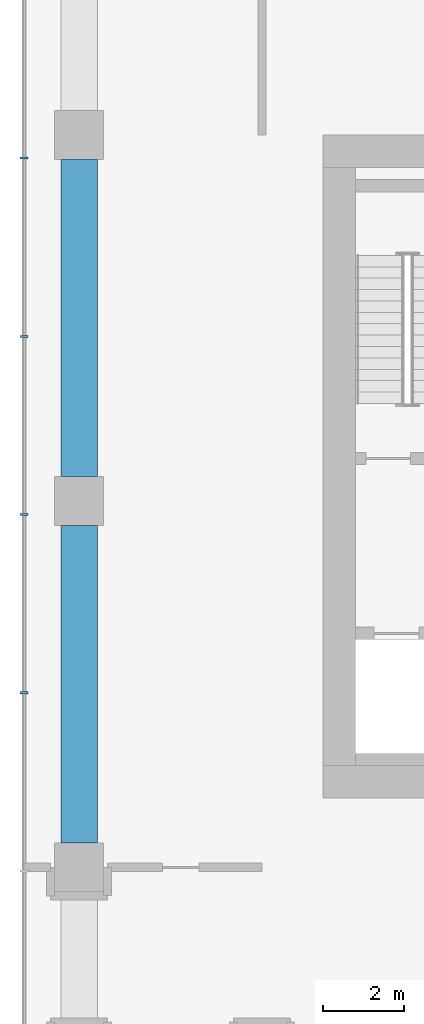
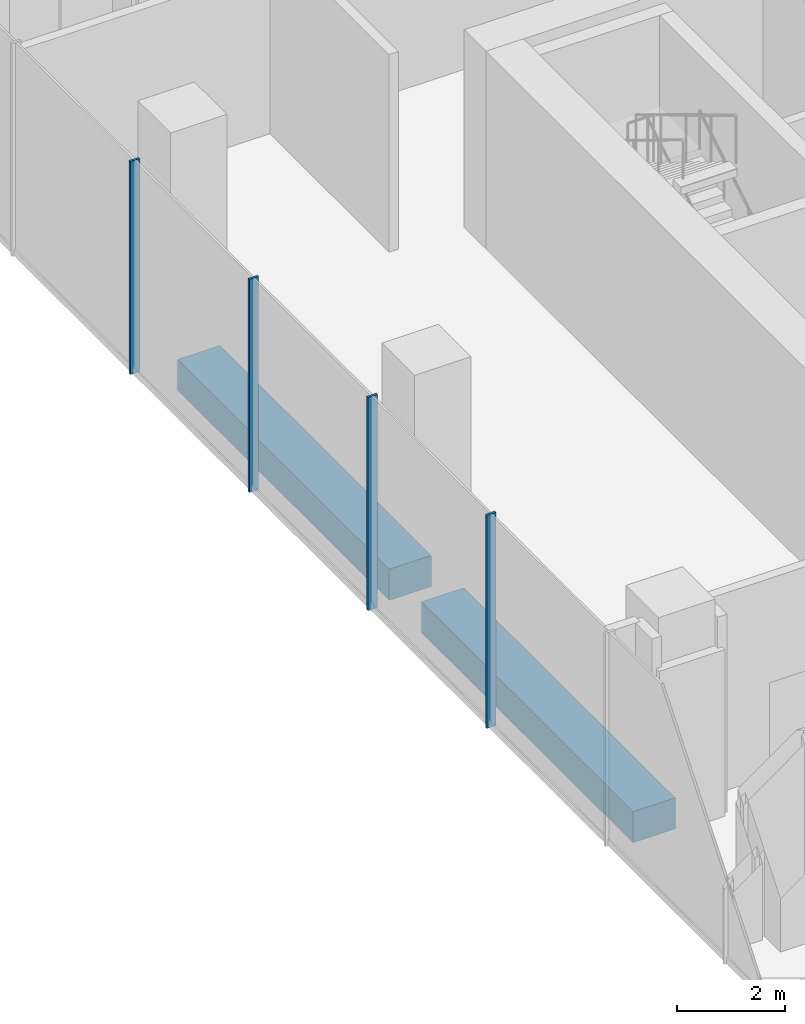
# One storey, part 3 of 42: 4 members, 2 beams, 1 element without a shape of its own.
"""IFC4 building model written with IfcOpenShell, lengths in metres."""

from ifc_helpers import new_model, si_unit, direction, frame, origin, origin_2d, place, context, subcontext, project, spatial, rectangle, extrude, material, layer, layer_set, material_profile, profile_set, type_object, element, aggregate, save


model = new_model("IFC4")

# Units and contexts
model_context = context("Model", 3, precision=1e-05, world=origin(), true_north=direction((0.0, 1.0)))
body_context = subcontext(model_context, "Body", "Model", "MODEL_VIEW")
ifc_project = project(units=[si_unit("LENGTHUNIT", "METRE"), si_unit("AREAUNIT", "SQUARE_METRE"), si_unit("VOLUMEUNIT", "CUBIC_METRE"), si_unit("PLANEANGLEUNIT", "RADIAN"), si_unit("MASSUNIT", "GRAM", prefix="KILO")], contexts=[model_context])

# Site, building, storey
site_placement = place(None, origin())
site = spatial("IfcSite", under=ifc_project, at=site_placement, CompositionType="ELEMENT")
building_placement = place(site_placement, origin())
building = spatial("IfcBuilding", under=site, at=building_placement, Name="Plateau Cross Towers", CompositionType="ELEMENT")
storey_placement = place(building_placement, frame((0.0, 0.0, 8.0)))
storey = spatial("IfcBuildingStorey", under=building, at=storey_placement, Name="L01", CompositionType="ELEMENT", Elevation=8.0)

# Curtain wall, members
ifc_material_1 = material(Name="Dark low-iron laminated glass", Category="glass")
ifc_layer = layer(ifc_material_1, 0.300048828125)
ifc_layer_set = layer_set([ifc_layer], Name="Dark low-iron laminated glass")
curtain_wall_type = type_object("IfcCurtainWallType", Name="Curtain wall structural silicone CW-C", PredefinedType="NOTDEFINED", material=ifc_layer_set)
curtain_wall_placement = place(storey_placement, origin())
curtain_wall = element("IfcCurtainWall", 1, at=curtain_wall_placement, inside=storey, type_object=curtain_wall_type, Name="ENV/P/L01/P-58_568", PredefinedType="NOTDEFINED")
ifc_material_2 = material(Name="Black anodised aluminium", Category="aluminium")
ifc_material_profile_1 = material_profile(ifc_material_2, rectangle(XDim=0.050048828125, YDim=0.199951171875, at=origin_2d()), Name="MULLION 50x200")
ifc_profile_set_1 = profile_set([ifc_material_profile_1], Name="Black anodised aluminium")
member_type = type_object("IfcMemberType", Name="Mullion 50x200 structural silicone", PredefinedType="MULLION", material=ifc_profile_set_1)
member_1_placement = place(storey_placement, frame((-5.85009765625, 17.429931640625, -0.35009765625), z_axis=(0.0, 0.0, 1.0), x_axis=(0.0, -1.0, 0.0)))
member_1 = element("IfcMember", 2, at=member_1_placement, type_object=member_type, Name="CW-C mullion 10", PredefinedType="MULLION", context=body_context, shape_type="SweptSolid", body=[
    extrude(rectangle(XDim=0.050048828125, YDim=0.199951171875, at=origin_2d()), origin(), (0.0, 0.0, 1.0), 4.800048828125),
])
member_2_placement = place(storey_placement, frame((-5.85009765625, 13.050048828125, -0.35009765625), z_axis=(0.0, 0.0, 1.0), x_axis=(0.0, -1.0, 0.0)))
member_2 = element("IfcMember", 3, at=member_2_placement, type_object=member_type, Name="CW-C mullion 11", PredefinedType="MULLION", context=body_context, shape_type="SweptSolid", body=[
    extrude(rectangle(XDim=0.050048828125, YDim=0.199951171875, at=origin_2d()), origin(), (0.0, 0.0, 1.0), 4.800048828125),
])
member_3_placement = place(storey_placement, frame((-5.85009765625, 8.669921875, -0.35009765625), z_axis=(0.0, 0.0, 1.0), x_axis=(0.0, -1.0, 0.0)))
member_3 = element("IfcMember", 4, at=member_3_placement, type_object=member_type, Name="CW-C mullion 12", PredefinedType="MULLION", context=body_context, shape_type="SweptSolid", body=[
    extrude(rectangle(XDim=0.050048828125, YDim=0.199951171875, at=origin_2d()), origin(), (0.0, 0.0, 1.0), 4.800048828125),
])
member_4_placement = place(storey_placement, frame((-5.85009765625, 4.2900390625, -0.35009765625), z_axis=(0.0, 0.0, 1.0), x_axis=(0.0, -1.0, 0.0)))
member_4 = element("IfcMember", 5, at=member_4_placement, type_object=member_type, Name="CW-C mullion 13", PredefinedType="MULLION", context=body_context, shape_type="SweptSolid", body=[
    extrude(rectangle(XDim=0.050048828125, YDim=0.199951171875, at=origin_2d()), origin(), (0.0, 0.0, 1.0), 4.800048828125),
])
aggregate(curtain_wall, [member_1, member_2, member_3, member_4])

# Beams
ifc_material_3 = material(Name="Concrete C50/60", Category="concrete")
ifc_material_profile_2 = material_profile(ifc_material_3, rectangle(XDim=0.89990234375, YDim=0.699951171875, at=origin_2d()), Name="RC 900x700")
ifc_profile_set_2 = profile_set([ifc_material_profile_2], Name="Concrete C50/60")
beam_type = type_object("IfcBeamType", Name="Podium band beam RC 900x700", PredefinedType="BEAM", material=ifc_profile_set_2)
for number, where, z_axis, x_axis, name in (
    (6, (-4.5, 0.60009765625, -0.699951171875), (0.0, 1.0, 0.0), (-1.0, 0.0, 0.0), "PB95@L01"),
    (7, (-4.5, 9.60009765625, -0.699951171875), (0.0, 1.0, 0.0), (-1.0, 0.0, 0.0), "PB96@L01"),
):
    element("IfcBeam", number, at=place(storey_placement, frame(where, z_axis=z_axis, x_axis=x_axis)), inside=storey, type_object=beam_type, Name=name, PredefinedType="BEAM", context=body_context, shape_type="SweptSolid", body=[
        extrude(rectangle(XDim=0.89990234375, YDim=0.699951171875, at=origin_2d()), origin(), (0.0, 0.0, 1.0), 7.7998046875),
    ])

save(model, "model.ifc")
